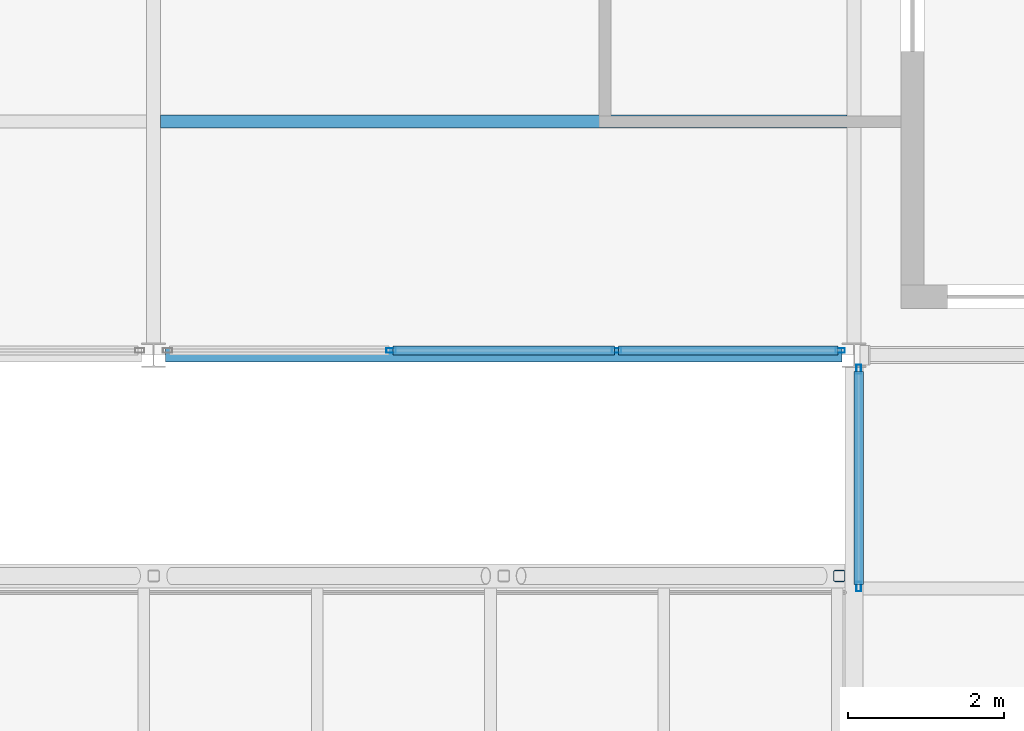
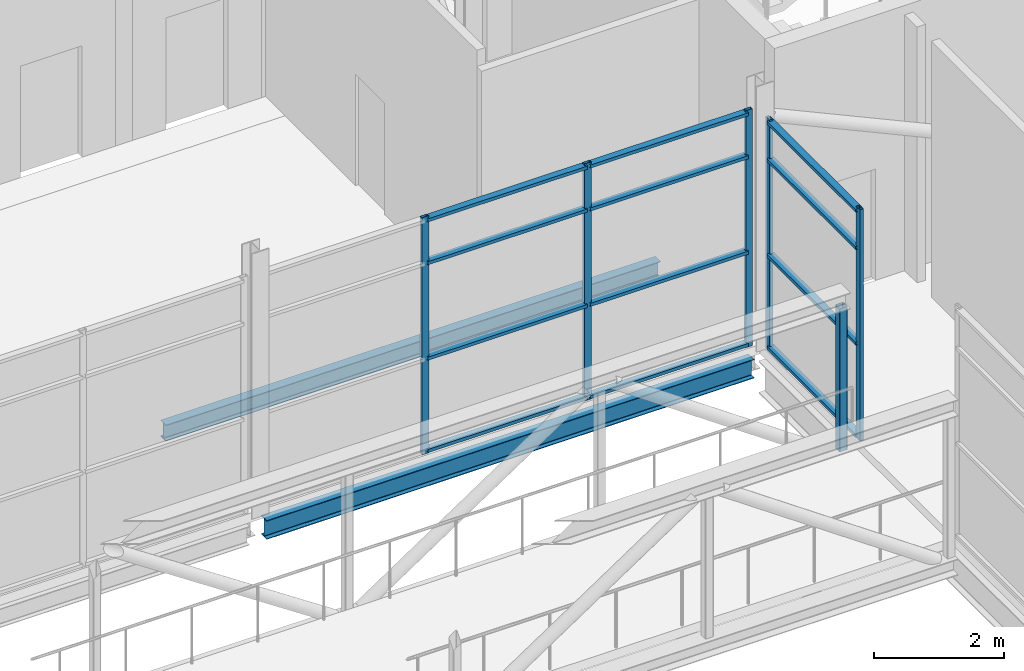
# One storey, part 52 of 94: 18 members, 2 beams, 2 elements without a shape of their own.
"""IFC4 building model written with IfcOpenShell, lengths in metres."""

from ifc_helpers import new_model, si_unit, direction, frame, origin, origin_2d, place, context, subcontext, project, spatial, hollow_rectangle, i_section, extrude, material, layer, layer_set, material_profile, profile_set, type_object, element, aggregate, save


model = new_model("IFC4")

# Units and contexts
model_context = context("Model", 3, precision=1e-05, world=origin(), true_north=direction((0.0, 1.0)))
body_context = subcontext(model_context, "Body", "Model", "MODEL_VIEW")
ifc_project = project(units=[si_unit("LENGTHUNIT", "METRE"), si_unit("AREAUNIT", "SQUARE_METRE"), si_unit("VOLUMEUNIT", "CUBIC_METRE"), si_unit("PLANEANGLEUNIT", "RADIAN"), si_unit("MASSUNIT", "GRAM", prefix="KILO")], contexts=[model_context])

# Site, building, storey
site_placement = place(None, origin())
site = spatial("IfcSite", under=ifc_project, at=site_placement, CompositionType="ELEMENT")
building_placement = place(site_placement, origin())
building = spatial("IfcBuilding", under=site, at=building_placement, Name="Shorebreak Coast Museum", CompositionType="ELEMENT")
storey_placement = place(building_placement, frame((0.0, 0.0, 31.0)))
storey = spatial("IfcBuildingStorey", under=building, at=storey_placement, Name="L05", CompositionType="ELEMENT", Elevation=31.0)

# Member
ifc_material_1 = material(Name="Steel Grade C450L0", Category="steel")
ifc_material_profile_1 = material_profile(ifc_material_1, hollow_rectangle(XDim=0.14990234375, YDim=0.14990234375, WallThickness=0.009033203125, InnerFilletRadius=0.013427734375, OuterFilletRadius=0.0224609375, at=origin_2d()), Name="150x150x9.0 SHS")
ifc_profile_set_1 = profile_set([ifc_material_profile_1], Name="Steel Grade C450L0")
member_type_1 = type_object("IfcMemberType", Name="Atrium bridge truss strut 150x150x9.0 SHS", PredefinedType="STRUT", material=ifc_profile_set_1)
member_1_placement = place(storey_placement, frame((107.810546875, 78.16259765625, -0.175048828125), z_axis=(0.0, 0.0, 1.0), x_axis=(1.0, 0.0, 0.0)))
element("IfcMember", 1, at=member_1_placement, inside=storey, type_object=member_type_1, Name="Atrium bridge truss BR3 side B strut V11", PredefinedType="STRUT", context=body_context, shape_type="SweptSolid", body=[
    extrude(hollow_rectangle(XDim=0.14990234375, YDim=0.14990234375, WallThickness=0.009033203125, InnerFilletRadius=0.013427734375, OuterFilletRadius=0.0224609375, at=origin_2d()), origin(), (0.0, 0.0, 1.0), 2.692138671875),
])

# Beams
ifc_material_2 = material(Name="Steel Grade 300", Category="steel")
ifc_material_profile_2 = material_profile(ifc_material_2, i_section(OverallWidth=0.1708984375, OverallDepth=0.355712890625, WebThickness=0.00732421875, FlangeThickness=0.011474609375, FilletRadius=0.011474609375, at=origin_2d()), Name="360UB50.7")
ifc_profile_set_2 = profile_set([ifc_material_profile_2], Name="Steel Grade 300")
beam_type_1 = type_object("IfcBeamType", Name="Floor girder east-west 360UB50.7", PredefinedType="BEAM", material=ifc_profile_set_2)
beam_1_placement = place(storey_placement, frame((99.153564453125, 81.0, -0.352783203125), z_axis=(1.0, 0.0, 0.0), x_axis=(0.0, 1.0, 0.0)))
element("IfcBeam", 2, at=beam_1_placement, inside=storey, type_object=beam_type_1, Name="Floor girder east-west L05 12K", PredefinedType="BEAM", context=body_context, shape_type="SweptSolid", body=[
    extrude(i_section(OverallWidth=0.1708984375, OverallDepth=0.355712890625, WebThickness=0.00732421875, FlangeThickness=0.011474609375, FilletRadius=0.011474609375, at=origin_2d()), origin(), (0.0, 0.0, 1.0), 8.69287109375),
])
ifc_material_3 = material(Name="Steel Grade 300", Category="steel")
ifc_material_profile_3 = material_profile(ifc_material_3, i_section(OverallWidth=0.1650390625, OverallDepth=0.303955078125, WebThickness=0.006103515625, FlangeThickness=0.01025390625, FilletRadius=0.011474609375, at=origin_2d()), Name="310UB40.4")
ifc_profile_set_3 = profile_set([ifc_material_profile_3], Name="Steel Grade 300")
beam_type_2 = type_object("IfcBeamType", Name="Floor joist 310UB40.4", PredefinedType="JOIST", material=ifc_profile_set_3)
beam_2_placement = place(storey_placement, frame((99.089111328125, 84.0, -0.326904296875), z_axis=(1.0, 0.0, 0.0), x_axis=(0.0, 1.0, 0.0)))
element("IfcBeam", 3, at=beam_2_placement, inside=storey, type_object=beam_type_2, Name="Floor joist L05 bay 12K at 3000 mm", PredefinedType="JOIST", context=body_context, shape_type="SweptSolid", body=[
    extrude(i_section(OverallWidth=0.1650390625, OverallDepth=0.303955078125, WebThickness=0.006103515625, FlangeThickness=0.01025390625, FilletRadius=0.011474609375, at=origin_2d()), origin(), (0.0, 0.0, 1.0), 8.82177734375),
])

# Curtain wall, members
ifc_material_4 = material(Name="Aluminium", Category="aluminium")
ifc_layer = layer(ifc_material_4, 0.1201171875)
ifc_layer_set = layer_set([ifc_layer], Name="Aluminium")
curtain_wall_type = type_object("IfcCurtainWallType", Name="Atrium fire screen", PredefinedType="NOTDEFINED", material=ifc_layer_set)
curtain_wall_1_placement = place(storey_placement, origin())
curtain_wall_1 = element("IfcCurtainWall", 4, at=curtain_wall_1_placement, inside=storey, type_object=curtain_wall_type, Name="Atrium screen L05 N 72", PredefinedType="NOTDEFINED")
ifc_material_5 = material(Name="Aluminium", Category="aluminium")
ifc_material_profile_4 = material_profile(ifc_material_5, hollow_rectangle(XDim=0.06005859375, YDim=0.1201171875, WallThickness=0.00341796875, at=origin_2d()), Name="AL 120x60 RHS")
ifc_profile_set_4 = profile_set([ifc_material_profile_4], Name="Aluminium")
member_type_2 = type_object("IfcMemberType", Name="Screen mullion 50 x 120", PredefinedType="MULLION", material=ifc_profile_set_4)
member_2_placement = place(storey_placement, frame((102.05126953125, 81.06005859375, 0.0), z_axis=(0.0, 0.0, 1.0), x_axis=(0.0, 1.0, 0.0)))
member_2 = element("IfcMember", 5, at=member_2_placement, type_object=member_type_2, Name="CW4 mullion 2", PredefinedType="MULLION", context=body_context, shape_type="SweptSolid", body=[
    extrude(hollow_rectangle(XDim=0.06005859375, YDim=0.1201171875, WallThickness=0.00341796875, at=origin_2d()), origin(), (0.0, 0.0, 1.0), 4.469482421875),
])
member_3_placement = place(storey_placement, frame((104.94873046875, 81.06005859375, 0.0), z_axis=(0.0, 0.0, 1.0), x_axis=(0.0, 1.0, 0.0)))
member_3 = element("IfcMember", 6, at=member_3_placement, type_object=member_type_2, Name="CW4 mullion 3", PredefinedType="MULLION", context=body_context, shape_type="SweptSolid", body=[
    extrude(hollow_rectangle(XDim=0.06005859375, YDim=0.1201171875, WallThickness=0.00341796875, at=origin_2d()), origin(), (0.0, 0.0, 1.0), 4.469482421875),
])
member_4_placement = place(storey_placement, frame((107.821533203125, 81.06005859375, 0.0), z_axis=(0.0, 0.0, 1.0), x_axis=(0.0, 1.0, 0.0)))
member_4 = element("IfcMember", 7, at=member_4_placement, type_object=member_type_2, Name="CW4 mullion 4", PredefinedType="MULLION", context=body_context, shape_type="SweptSolid", body=[
    extrude(hollow_rectangle(XDim=0.06005859375, YDim=0.1201171875, WallThickness=0.00341796875, at=origin_2d()), origin(), (0.0, 0.0, 1.0), 4.469482421875),
])

curtain_wall_2_placement = place(storey_placement, origin())
curtain_wall_2 = element("IfcCurtainWall", 8, at=curtain_wall_2_placement, inside=storey, type_object=curtain_wall_type, Name="Atrium screen L05 E 78", PredefinedType="NOTDEFINED")
member_5_placement = place(storey_placement, frame((108.06005859375, 78.02490234375, 0.0), z_axis=(0.0, 0.0, 1.0), x_axis=(-1.0, 0.0, 0.0)))
member_5 = element("IfcMember", 9, at=member_5_placement, type_object=member_type_2, Name="CW4 mullion 1", PredefinedType="MULLION", context=body_context, shape_type="SweptSolid", body=[
    extrude(hollow_rectangle(XDim=0.06005859375, YDim=0.1201171875, WallThickness=0.00341796875, at=origin_2d()), origin(), (0.0, 0.0, 1.0), 4.364501953125),
])
member_6_placement = place(storey_placement, frame((108.06005859375, 80.817626953125, 0.0), z_axis=(0.0, 0.0, 1.0), x_axis=(-1.0, 0.0, 0.0)))
member_6 = element("IfcMember", 10, at=member_6_placement, type_object=member_type_2, Name="CW4 mullion 2", PredefinedType="MULLION", context=body_context, shape_type="SweptSolid", body=[
    extrude(hollow_rectangle(XDim=0.06005859375, YDim=0.1201171875, WallThickness=0.00341796875, at=origin_2d()), origin(), (0.0, 0.0, 1.0), 4.364501953125),
])

# Member
ifc_material_6 = material(Name="Aluminium", Category="aluminium")
ifc_material_profile_5 = material_profile(ifc_material_6, hollow_rectangle(XDim=0.1201171875, YDim=0.06005859375, WallThickness=0.00341796875, at=origin_2d()), Name="AL 60x120 RHS")
ifc_profile_set_5 = profile_set([ifc_material_profile_5], Name="Aluminium")
member_type_3 = type_object("IfcMemberType", Name="Screen transom 120 x 50", PredefinedType="USERDEFINED", material=ifc_profile_set_5)
member_7_placement = place(storey_placement, frame((102.076171875, 81.06005859375, 0.06005859375), z_axis=(1.0, 0.0, 0.0), x_axis=(0.0, 1.0, 0.0)))
member_7 = element("IfcMember", 11, at=member_7_placement, type_object=member_type_3, Name="CW4 transom 2.1", ObjectType="TRANSOM", PredefinedType="USERDEFINED", context=body_context, shape_type="SweptSolid", body=[
    extrude(hollow_rectangle(XDim=0.1201171875, YDim=0.06005859375, WallThickness=0.00341796875, at=origin_2d()), origin(), (0.0, 0.0, 1.0), 2.84765625),
])

member_8_placement = place(storey_placement, frame((102.076171875, 81.06005859375, 1.800048828125), z_axis=(1.0, 0.0, 0.0), x_axis=(0.0, 1.0, 0.0)))
member_8 = element("IfcMember", 12, at=member_8_placement, type_object=member_type_3, Name="CW4 transom 2.2", ObjectType="TRANSOM", PredefinedType="USERDEFINED", context=body_context, shape_type="SweptSolid", body=[
    extrude(hollow_rectangle(XDim=0.1201171875, YDim=0.06005859375, WallThickness=0.00341796875, at=origin_2d()), origin(), (0.0, 0.0, 1.0), 2.84765625),
])

member_9_placement = place(storey_placement, frame((102.076171875, 81.06005859375, 3.60009765625), z_axis=(1.0, 0.0, 0.0), x_axis=(0.0, 1.0, 0.0)))
member_9 = element("IfcMember", 13, at=member_9_placement, type_object=member_type_3, Name="CW4 transom 2.3", ObjectType="TRANSOM", PredefinedType="USERDEFINED", context=body_context, shape_type="SweptSolid", body=[
    extrude(hollow_rectangle(XDim=0.1201171875, YDim=0.06005859375, WallThickness=0.00341796875, at=origin_2d()), origin(), (0.0, 0.0, 1.0), 2.84765625),
])

member_10_placement = place(storey_placement, frame((102.076171875, 81.06005859375, 4.409423828125), z_axis=(1.0, 0.0, 0.0), x_axis=(0.0, 1.0, 0.0)))
member_10 = element("IfcMember", 14, at=member_10_placement, type_object=member_type_3, Name="CW4 transom 2.4", ObjectType="TRANSOM", PredefinedType="USERDEFINED", context=body_context, shape_type="SweptSolid", body=[
    extrude(hollow_rectangle(XDim=0.1201171875, YDim=0.06005859375, WallThickness=0.00341796875, at=origin_2d()), origin(), (0.0, 0.0, 1.0), 2.84765625),
])

member_11_placement = place(storey_placement, frame((104.973876953125, 81.06005859375, 0.06005859375), z_axis=(1.0, 0.0, 0.0), x_axis=(0.0, 1.0, 0.0)))
member_11 = element("IfcMember", 15, at=member_11_placement, type_object=member_type_3, Name="CW4 transom 3.1", ObjectType="TRANSOM", PredefinedType="USERDEFINED", context=body_context, shape_type="SweptSolid", body=[
    extrude(hollow_rectangle(XDim=0.1201171875, YDim=0.06005859375, WallThickness=0.00341796875, at=origin_2d()), origin(), (0.0, 0.0, 1.0), 2.822509765625),
])

member_12_placement = place(storey_placement, frame((104.973876953125, 81.06005859375, 1.800048828125), z_axis=(1.0, 0.0, 0.0), x_axis=(0.0, 1.0, 0.0)))
member_12 = element("IfcMember", 16, at=member_12_placement, type_object=member_type_3, Name="CW4 transom 3.2", ObjectType="TRANSOM", PredefinedType="USERDEFINED", context=body_context, shape_type="SweptSolid", body=[
    extrude(hollow_rectangle(XDim=0.1201171875, YDim=0.06005859375, WallThickness=0.00341796875, at=origin_2d()), origin(), (0.0, 0.0, 1.0), 2.822509765625),
])

member_13_placement = place(storey_placement, frame((104.973876953125, 81.06005859375, 3.60009765625), z_axis=(1.0, 0.0, 0.0), x_axis=(0.0, 1.0, 0.0)))
member_13 = element("IfcMember", 17, at=member_13_placement, type_object=member_type_3, Name="CW4 transom 3.3", ObjectType="TRANSOM", PredefinedType="USERDEFINED", context=body_context, shape_type="SweptSolid", body=[
    extrude(hollow_rectangle(XDim=0.1201171875, YDim=0.06005859375, WallThickness=0.00341796875, at=origin_2d()), origin(), (0.0, 0.0, 1.0), 2.822509765625),
])

member_14_placement = place(storey_placement, frame((104.973876953125, 81.06005859375, 4.409423828125), z_axis=(1.0, 0.0, 0.0), x_axis=(0.0, 1.0, 0.0)))
member_14 = element("IfcMember", 18, at=member_14_placement, type_object=member_type_3, Name="CW4 transom 3.4", ObjectType="TRANSOM", PredefinedType="USERDEFINED", context=body_context, shape_type="SweptSolid", body=[
    extrude(hollow_rectangle(XDim=0.1201171875, YDim=0.06005859375, WallThickness=0.00341796875, at=origin_2d()), origin(), (0.0, 0.0, 1.0), 2.822509765625),
])

aggregate(curtain_wall_1, [member_2, member_3, member_4, member_7, member_8, member_9, member_10, member_11, member_12, member_13, member_14])

member_15_placement = place(storey_placement, frame((108.06005859375, 78.050048828125, 0.06005859375), z_axis=(0.0, 1.0, 0.0), x_axis=(-1.0, 0.0, 0.0)))
member_15 = element("IfcMember", 19, at=member_15_placement, type_object=member_type_3, Name="CW4 transom 1.1", ObjectType="TRANSOM", PredefinedType="USERDEFINED", context=body_context, shape_type="SweptSolid", body=[
    extrude(hollow_rectangle(XDim=0.1201171875, YDim=0.06005859375, WallThickness=0.00341796875, at=origin_2d()), origin(), (0.0, 0.0, 1.0), 2.74267578125),
])

member_16_placement = place(storey_placement, frame((108.06005859375, 78.050048828125, 1.800048828125), z_axis=(0.0, 1.0, 0.0), x_axis=(-1.0, 0.0, 0.0)))
member_16 = element("IfcMember", 20, at=member_16_placement, type_object=member_type_3, Name="CW4 transom 1.2", ObjectType="TRANSOM", PredefinedType="USERDEFINED", context=body_context, shape_type="SweptSolid", body=[
    extrude(hollow_rectangle(XDim=0.1201171875, YDim=0.06005859375, WallThickness=0.00341796875, at=origin_2d()), origin(), (0.0, 0.0, 1.0), 2.74267578125),
])

member_17_placement = place(storey_placement, frame((108.06005859375, 78.050048828125, 3.60009765625), z_axis=(0.0, 1.0, 0.0), x_axis=(-1.0, 0.0, 0.0)))
member_17 = element("IfcMember", 21, at=member_17_placement, type_object=member_type_3, Name="CW4 transom 1.3", ObjectType="TRANSOM", PredefinedType="USERDEFINED", context=body_context, shape_type="SweptSolid", body=[
    extrude(hollow_rectangle(XDim=0.1201171875, YDim=0.06005859375, WallThickness=0.00341796875, at=origin_2d()), origin(), (0.0, 0.0, 1.0), 2.74267578125),
])

member_18_placement = place(storey_placement, frame((108.06005859375, 78.050048828125, 4.3046875), z_axis=(0.0, 1.0, 0.0), x_axis=(-1.0, 0.0, 0.0)))
member_18 = element("IfcMember", 22, at=member_18_placement, type_object=member_type_3, Name="CW4 transom 1.4", ObjectType="TRANSOM", PredefinedType="USERDEFINED", context=body_context, shape_type="SweptSolid", body=[
    extrude(hollow_rectangle(XDim=0.1201171875, YDim=0.06005859375, WallThickness=0.00341796875, at=origin_2d()), origin(), (0.0, 0.0, 1.0), 2.74267578125),
])

aggregate(curtain_wall_2, [member_5, member_6, member_15, member_16, member_17, member_18])

save(model, "model.ifc")
